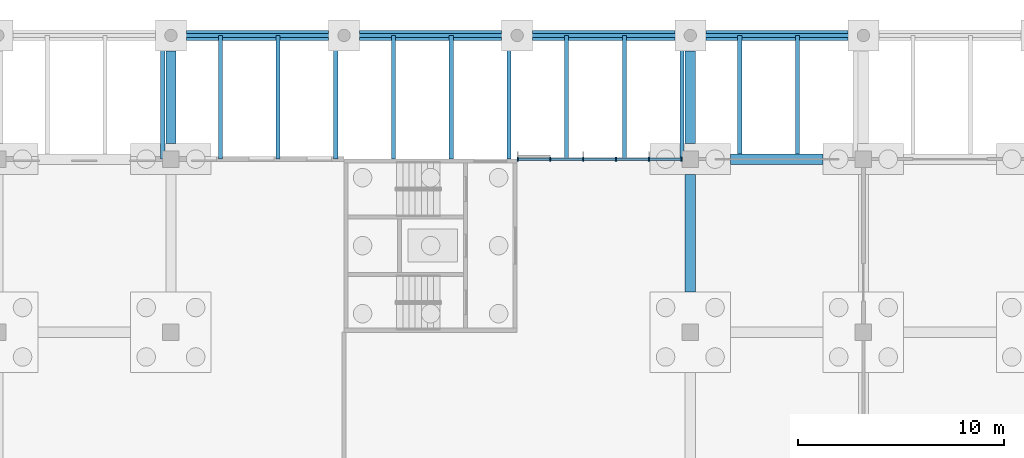
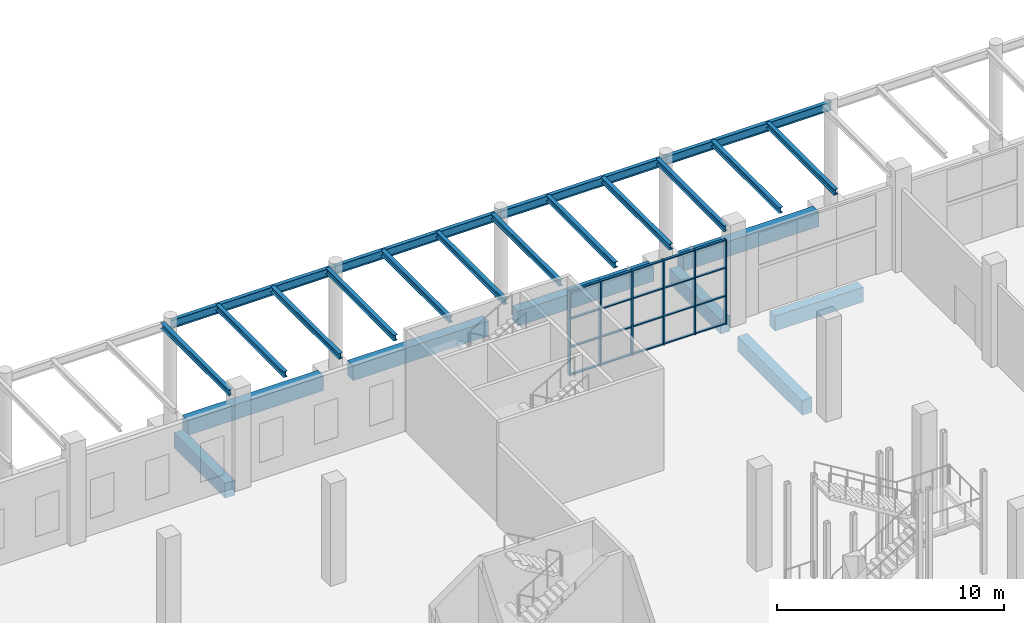
# One storey, part 18 of 82: 38 members, 12 beams, 1 element without a shape of its own.
"""IFC4 building model written with IfcOpenShell, lengths in metres."""

from ifc_helpers import new_model, si_unit, direction, frame, origin, origin_2d, place, context, subcontext, project, spatial, rectangle, i_section, extrude, material, material_profile, profile_set, type_object, element, aggregate, save


model = new_model("IFC4")

# Units and contexts
model_context = context("Model", 3, precision=1e-05, world=origin(), true_north=direction((0.0, 1.0)))
body_context = subcontext(model_context, "Body", "Model", "MODEL_VIEW")
ifc_project = project(units=[si_unit("LENGTHUNIT", "METRE"), si_unit("AREAUNIT", "SQUARE_METRE"), si_unit("VOLUMEUNIT", "CUBIC_METRE"), si_unit("PLANEANGLEUNIT", "RADIAN"), si_unit("MASSUNIT", "GRAM", prefix="KILO")], contexts=[model_context])

# Site, building, storey
site_placement = place(None, origin())
site = spatial("IfcSite", under=ifc_project, at=site_placement, CompositionType="ELEMENT")
building_placement = place(site_placement, origin())
building = spatial("IfcBuilding", under=site, at=building_placement, Name="Almond Square Museum", CompositionType="ELEMENT")
storey_placement = place(building_placement, origin())
storey = spatial("IfcBuildingStorey", under=building, at=storey_placement, Name="L00", CompositionType="ELEMENT", Elevation=0.0)

# Curtain wall, members
ifc_material_1 = material(Name="Aluminium and laminated glass", Category="aluminium")
curtain_wall_type = type_object("IfcCurtainWallType", Name="Unitised curtain wall 1500 module", PredefinedType="NOTDEFINED", material=ifc_material_1)
curtain_wall_placement = place(storey_placement, origin())
curtain_wall = element("IfcCurtainWall", 1, at=curtain_wall_placement, inside=storey, type_object=curtain_wall_type, Name="Curtain wall CW-05", PredefinedType="NOTDEFINED")
ifc_material_2 = material(Name="Anodised aluminium", Category="aluminium")
ifc_material_profile_1 = material_profile(ifc_material_2, rectangle(XDim=0.199951171875, YDim=0.06005859375, at=origin_2d()))
ifc_profile_set_1 = profile_set([ifc_material_profile_1], Name="Anodised aluminium")
member_type_1 = type_object("IfcMemberType", Name="Aluminium mullion 60 x 200", PredefinedType="MULLION", material=ifc_profile_set_1)
member_1_placement = place(storey_placement, frame((81.6298828125, 109.199951171875, 0.0), z_axis=(0.0, 0.0, 1.0), x_axis=(0.0, 1.0, 0.0)))
member_1 = element("IfcMember", 2, at=member_1_placement, type_object=member_type_1, Name="CW-05 mullion 1", PredefinedType="MULLION", context=body_context, shape_type="SweptSolid", body=[
    extrude(rectangle(XDim=0.199951171875, YDim=0.06005859375, at=origin_2d()), origin(), (0.0, 0.0, 1.0), 4.550048828125),
])
member_2_placement = place(storey_placement, frame((83.199951171875, 109.199951171875, 0.0), z_axis=(0.0, 0.0, 1.0), x_axis=(0.0, 1.0, 0.0)))
member_2 = element("IfcMember", 3, at=member_2_placement, type_object=member_type_1, Name="CW-05 mullion 2", PredefinedType="MULLION", context=body_context, shape_type="SweptSolid", body=[
    extrude(rectangle(XDim=0.199951171875, YDim=0.06005859375, at=origin_2d()), origin(), (0.0, 0.0, 1.0), 4.550048828125),
])
member_3_placement = place(storey_placement, frame((84.800048828125, 109.199951171875, 0.0), z_axis=(0.0, 0.0, 1.0), x_axis=(0.0, 1.0, 0.0)))
member_3 = element("IfcMember", 4, at=member_3_placement, type_object=member_type_1, Name="CW-05 mullion 3", PredefinedType="MULLION", context=body_context, shape_type="SweptSolid", body=[
    extrude(rectangle(XDim=0.199951171875, YDim=0.06005859375, at=origin_2d()), origin(), (0.0, 0.0, 1.0), 4.550048828125),
])
member_4_placement = place(storey_placement, frame((86.39990234375, 109.199951171875, 0.0), z_axis=(0.0, 0.0, 1.0), x_axis=(0.0, 1.0, 0.0)))
member_4 = element("IfcMember", 5, at=member_4_placement, type_object=member_type_1, Name="CW-05 mullion 4", PredefinedType="MULLION", context=body_context, shape_type="SweptSolid", body=[
    extrude(rectangle(XDim=0.199951171875, YDim=0.06005859375, at=origin_2d()), origin(), (0.0, 0.0, 1.0), 4.550048828125),
])
member_5_placement = place(storey_placement, frame((88.0, 109.199951171875, 0.0), z_axis=(0.0, 0.0, 1.0), x_axis=(0.0, 1.0, 0.0)))
member_5 = element("IfcMember", 6, at=member_5_placement, type_object=member_type_1, Name="CW-05 mullion 5", PredefinedType="MULLION", context=body_context, shape_type="SweptSolid", body=[
    extrude(rectangle(XDim=0.199951171875, YDim=0.06005859375, at=origin_2d()), origin(), (0.0, 0.0, 1.0), 4.550048828125),
])
member_6_placement = place(storey_placement, frame((89.570068359375, 109.199951171875, 0.0), z_axis=(0.0, 0.0, 1.0), x_axis=(0.0, 1.0, 0.0)))
member_6 = element("IfcMember", 7, at=member_6_placement, type_object=member_type_1, Name="CW-05 mullion 6", PredefinedType="MULLION", context=body_context, shape_type="SweptSolid", body=[
    extrude(rectangle(XDim=0.199951171875, YDim=0.06005859375, at=origin_2d()), origin(), (0.0, 0.0, 1.0), 4.550048828125),
])
ifc_material_3 = material(Name="Anodised aluminium", Category="aluminium")
ifc_material_profile_2 = material_profile(ifc_material_3, rectangle(XDim=0.1201171875, YDim=0.06005859375, at=origin_2d()))
ifc_profile_set_2 = profile_set([ifc_material_profile_2], Name="Anodised aluminium")
member_type_2 = type_object("IfcMemberType", Name="Aluminium transom 60 x 120", PredefinedType="USERDEFINED", material=ifc_profile_set_2)
member_7_placement = place(storey_placement, frame((81.659912109375, 109.199951171875, 0.030029296875), z_axis=(1.0, 0.0, 0.0), x_axis=(0.0, 1.0, 0.0)))
member_7 = element("IfcMember", 8, at=member_7_placement, type_object=member_type_2, Name="CW-05 transom 1.1", ObjectType="TRANSOM", PredefinedType="USERDEFINED", context=body_context, shape_type="SweptSolid", body=[
    extrude(rectangle(XDim=0.1201171875, YDim=0.06005859375, at=origin_2d()), origin(), (0.0, 0.0, 1.0), 1.510009765625),
])
member_8_placement = place(storey_placement, frame((81.659912109375, 109.199951171875, 1.5166015625), z_axis=(1.0, 0.0, 0.0), x_axis=(0.0, 1.0, 0.0)))
member_8 = element("IfcMember", 9, at=member_8_placement, type_object=member_type_2, Name="CW-05 transom 1.2", ObjectType="TRANSOM", PredefinedType="USERDEFINED", context=body_context, shape_type="SweptSolid", body=[
    extrude(rectangle(XDim=0.1201171875, YDim=0.06005859375, at=origin_2d()), origin(), (0.0, 0.0, 1.0), 1.510009765625),
])
member_9_placement = place(storey_placement, frame((81.659912109375, 109.199951171875, 3.033447265625), z_axis=(1.0, 0.0, 0.0), x_axis=(0.0, 1.0, 0.0)))
member_9 = element("IfcMember", 10, at=member_9_placement, type_object=member_type_2, Name="CW-05 transom 1.3", ObjectType="TRANSOM", PredefinedType="USERDEFINED", context=body_context, shape_type="SweptSolid", body=[
    extrude(rectangle(XDim=0.1201171875, YDim=0.06005859375, at=origin_2d()), origin(), (0.0, 0.0, 1.0), 1.510009765625),
])
member_10_placement = place(storey_placement, frame((81.659912109375, 109.199951171875, 4.52001953125), z_axis=(1.0, 0.0, 0.0), x_axis=(0.0, 1.0, 0.0)))
member_10 = element("IfcMember", 11, at=member_10_placement, type_object=member_type_2, Name="CW-05 transom 1.4", ObjectType="TRANSOM", PredefinedType="USERDEFINED", context=body_context, shape_type="SweptSolid", body=[
    extrude(rectangle(XDim=0.1201171875, YDim=0.06005859375, at=origin_2d()), origin(), (0.0, 0.0, 1.0), 1.510009765625),
])
member_11_placement = place(storey_placement, frame((83.22998046875, 109.199951171875, 0.030029296875), z_axis=(1.0, 0.0, 0.0), x_axis=(0.0, 1.0, 0.0)))
member_11 = element("IfcMember", 12, at=member_11_placement, type_object=member_type_2, Name="CW-05 transom 2.1", ObjectType="TRANSOM", PredefinedType="USERDEFINED", context=body_context, shape_type="SweptSolid", body=[
    extrude(rectangle(XDim=0.1201171875, YDim=0.06005859375, at=origin_2d()), origin(), (0.0, 0.0, 1.0), 1.5400390625),
])
member_12_placement = place(storey_placement, frame((83.22998046875, 109.199951171875, 1.5166015625), z_axis=(1.0, 0.0, 0.0), x_axis=(0.0, 1.0, 0.0)))
member_12 = element("IfcMember", 13, at=member_12_placement, type_object=member_type_2, Name="CW-05 transom 2.2", ObjectType="TRANSOM", PredefinedType="USERDEFINED", context=body_context, shape_type="SweptSolid", body=[
    extrude(rectangle(XDim=0.1201171875, YDim=0.06005859375, at=origin_2d()), origin(), (0.0, 0.0, 1.0), 1.5400390625),
])
member_13_placement = place(storey_placement, frame((83.22998046875, 109.199951171875, 3.033447265625), z_axis=(1.0, 0.0, 0.0), x_axis=(0.0, 1.0, 0.0)))
member_13 = element("IfcMember", 14, at=member_13_placement, type_object=member_type_2, Name="CW-05 transom 2.3", ObjectType="TRANSOM", PredefinedType="USERDEFINED", context=body_context, shape_type="SweptSolid", body=[
    extrude(rectangle(XDim=0.1201171875, YDim=0.06005859375, at=origin_2d()), origin(), (0.0, 0.0, 1.0), 1.5400390625),
])
member_14_placement = place(storey_placement, frame((83.22998046875, 109.199951171875, 4.52001953125), z_axis=(1.0, 0.0, 0.0), x_axis=(0.0, 1.0, 0.0)))
member_14 = element("IfcMember", 15, at=member_14_placement, type_object=member_type_2, Name="CW-05 transom 2.4", ObjectType="TRANSOM", PredefinedType="USERDEFINED", context=body_context, shape_type="SweptSolid", body=[
    extrude(rectangle(XDim=0.1201171875, YDim=0.06005859375, at=origin_2d()), origin(), (0.0, 0.0, 1.0), 1.5400390625),
])
member_15_placement = place(storey_placement, frame((84.830078125, 109.199951171875, 0.030029296875), z_axis=(1.0, 0.0, 0.0), x_axis=(0.0, 1.0, 0.0)))
member_15 = element("IfcMember", 16, at=member_15_placement, type_object=member_type_2, Name="CW-05 transom 3.1", ObjectType="TRANSOM", PredefinedType="USERDEFINED", context=body_context, shape_type="SweptSolid", body=[
    extrude(rectangle(XDim=0.1201171875, YDim=0.06005859375, at=origin_2d()), origin(), (0.0, 0.0, 1.0), 1.5400390625),
])
member_16_placement = place(storey_placement, frame((84.830078125, 109.199951171875, 1.5166015625), z_axis=(1.0, 0.0, 0.0), x_axis=(0.0, 1.0, 0.0)))
member_16 = element("IfcMember", 17, at=member_16_placement, type_object=member_type_2, Name="CW-05 transom 3.2", ObjectType="TRANSOM", PredefinedType="USERDEFINED", context=body_context, shape_type="SweptSolid", body=[
    extrude(rectangle(XDim=0.1201171875, YDim=0.06005859375, at=origin_2d()), origin(), (0.0, 0.0, 1.0), 1.5400390625),
])
member_17_placement = place(storey_placement, frame((84.830078125, 109.199951171875, 3.033447265625), z_axis=(1.0, 0.0, 0.0), x_axis=(0.0, 1.0, 0.0)))
member_17 = element("IfcMember", 18, at=member_17_placement, type_object=member_type_2, Name="CW-05 transom 3.3", ObjectType="TRANSOM", PredefinedType="USERDEFINED", context=body_context, shape_type="SweptSolid", body=[
    extrude(rectangle(XDim=0.1201171875, YDim=0.06005859375, at=origin_2d()), origin(), (0.0, 0.0, 1.0), 1.5400390625),
])
member_18_placement = place(storey_placement, frame((84.830078125, 109.199951171875, 4.52001953125), z_axis=(1.0, 0.0, 0.0), x_axis=(0.0, 1.0, 0.0)))
member_18 = element("IfcMember", 19, at=member_18_placement, type_object=member_type_2, Name="CW-05 transom 3.4", ObjectType="TRANSOM", PredefinedType="USERDEFINED", context=body_context, shape_type="SweptSolid", body=[
    extrude(rectangle(XDim=0.1201171875, YDim=0.06005859375, at=origin_2d()), origin(), (0.0, 0.0, 1.0), 1.5400390625),
])
member_19_placement = place(storey_placement, frame((86.429931640625, 109.199951171875, 0.030029296875), z_axis=(1.0, 0.0, 0.0), x_axis=(0.0, 1.0, 0.0)))
member_19 = element("IfcMember", 20, at=member_19_placement, type_object=member_type_2, Name="CW-05 transom 4.1", ObjectType="TRANSOM", PredefinedType="USERDEFINED", context=body_context, shape_type="SweptSolid", body=[
    extrude(rectangle(XDim=0.1201171875, YDim=0.06005859375, at=origin_2d()), origin(), (0.0, 0.0, 1.0), 1.5400390625),
])
member_20_placement = place(storey_placement, frame((86.429931640625, 109.199951171875, 1.5166015625), z_axis=(1.0, 0.0, 0.0), x_axis=(0.0, 1.0, 0.0)))
member_20 = element("IfcMember", 21, at=member_20_placement, type_object=member_type_2, Name="CW-05 transom 4.2", ObjectType="TRANSOM", PredefinedType="USERDEFINED", context=body_context, shape_type="SweptSolid", body=[
    extrude(rectangle(XDim=0.1201171875, YDim=0.06005859375, at=origin_2d()), origin(), (0.0, 0.0, 1.0), 1.5400390625),
])
member_21_placement = place(storey_placement, frame((86.429931640625, 109.199951171875, 3.033447265625), z_axis=(1.0, 0.0, 0.0), x_axis=(0.0, 1.0, 0.0)))
member_21 = element("IfcMember", 22, at=member_21_placement, type_object=member_type_2, Name="CW-05 transom 4.3", ObjectType="TRANSOM", PredefinedType="USERDEFINED", context=body_context, shape_type="SweptSolid", body=[
    extrude(rectangle(XDim=0.1201171875, YDim=0.06005859375, at=origin_2d()), origin(), (0.0, 0.0, 1.0), 1.5400390625),
])
member_22_placement = place(storey_placement, frame((86.429931640625, 109.199951171875, 4.52001953125), z_axis=(1.0, 0.0, 0.0), x_axis=(0.0, 1.0, 0.0)))
member_22 = element("IfcMember", 23, at=member_22_placement, type_object=member_type_2, Name="CW-05 transom 4.4", ObjectType="TRANSOM", PredefinedType="USERDEFINED", context=body_context, shape_type="SweptSolid", body=[
    extrude(rectangle(XDim=0.1201171875, YDim=0.06005859375, at=origin_2d()), origin(), (0.0, 0.0, 1.0), 1.5400390625),
])
member_23_placement = place(storey_placement, frame((88.030029296875, 109.199951171875, 0.030029296875), z_axis=(1.0, 0.0, 0.0), x_axis=(0.0, 1.0, 0.0)))
member_23 = element("IfcMember", 24, at=member_23_placement, type_object=member_type_2, Name="CW-05 transom 5.1", ObjectType="TRANSOM", PredefinedType="USERDEFINED", context=body_context, shape_type="SweptSolid", body=[
    extrude(rectangle(XDim=0.1201171875, YDim=0.06005859375, at=origin_2d()), origin(), (0.0, 0.0, 1.0), 1.510009765625),
])
member_24_placement = place(storey_placement, frame((88.030029296875, 109.199951171875, 1.5166015625), z_axis=(1.0, 0.0, 0.0), x_axis=(0.0, 1.0, 0.0)))
member_24 = element("IfcMember", 25, at=member_24_placement, type_object=member_type_2, Name="CW-05 transom 5.2", ObjectType="TRANSOM", PredefinedType="USERDEFINED", context=body_context, shape_type="SweptSolid", body=[
    extrude(rectangle(XDim=0.1201171875, YDim=0.06005859375, at=origin_2d()), origin(), (0.0, 0.0, 1.0), 1.510009765625),
])
member_25_placement = place(storey_placement, frame((88.030029296875, 109.199951171875, 3.033447265625), z_axis=(1.0, 0.0, 0.0), x_axis=(0.0, 1.0, 0.0)))
member_25 = element("IfcMember", 26, at=member_25_placement, type_object=member_type_2, Name="CW-05 transom 5.3", ObjectType="TRANSOM", PredefinedType="USERDEFINED", context=body_context, shape_type="SweptSolid", body=[
    extrude(rectangle(XDim=0.1201171875, YDim=0.06005859375, at=origin_2d()), origin(), (0.0, 0.0, 1.0), 1.510009765625),
])
member_26_placement = place(storey_placement, frame((88.030029296875, 109.199951171875, 4.52001953125), z_axis=(1.0, 0.0, 0.0), x_axis=(0.0, 1.0, 0.0)))
member_26 = element("IfcMember", 27, at=member_26_placement, type_object=member_type_2, Name="CW-05 transom 5.4", ObjectType="TRANSOM", PredefinedType="USERDEFINED", context=body_context, shape_type="SweptSolid", body=[
    extrude(rectangle(XDim=0.1201171875, YDim=0.06005859375, at=origin_2d()), origin(), (0.0, 0.0, 1.0), 1.510009765625),
])
aggregate(curtain_wall, [member_1, member_2, member_3, member_4, member_5, member_6, member_7, member_8, member_9, member_10, member_11, member_12, member_13, member_14, member_15, member_16, member_17, member_18, member_19, member_20, member_21, member_22, member_23, member_24, member_25, member_26])

# Beams
ifc_material_4 = material(Name="Structural steel S355", Category="steel")
ifc_material_profile_3 = material_profile(ifc_material_4, i_section(OverallWidth=0.19091796875, OverallDepth=0.45703125, WebThickness=0.009033203125, FlangeThickness=0.014404296875, at=origin_2d()))
ifc_profile_set_3 = profile_set([ifc_material_profile_3], Name="Structural steel S355")
beam_type_1 = type_object("IfcBeamType", Name="Eave beam W460x74", PredefinedType="BEAM", material=ifc_profile_set_3)
beam_1_placement = place(storey_placement, frame((64.800048828125, 115.199951171875, 5.021484375), z_axis=(1.0, 0.0, 0.0), x_axis=(0.0, 1.0, 0.0)))
element("IfcBeam", 28, at=beam_1_placement, inside=storey, type_object=beam_type_1, Name="ARN roof edge beam 9", PredefinedType="BEAM", context=body_context, shape_type="SweptSolid", body=[
    extrude(i_section(OverallWidth=0.19091796875, OverallDepth=0.45703125, WebThickness=0.009033203125, FlangeThickness=0.014404296875, at=origin_2d()), origin(), (0.0, 0.0, 1.0), 8.39990234375),
])
beam_2_placement = place(storey_placement, frame((73.199951171875, 115.199951171875, 5.021484375), z_axis=(1.0, 0.0, 0.0), x_axis=(0.0, 1.0, 0.0)))
element("IfcBeam", 29, at=beam_2_placement, inside=storey, type_object=beam_type_1, Name="ARN roof edge beam 10", PredefinedType="BEAM", context=body_context, shape_type="SweptSolid", body=[
    extrude(i_section(OverallWidth=0.19091796875, OverallDepth=0.45703125, WebThickness=0.009033203125, FlangeThickness=0.014404296875, at=origin_2d()), origin(), (0.0, 0.0, 1.0), 8.400146484375),
])
for number, where, z_axis, x_axis, name in (
    (30, (81.60009765625, 115.199951171875, 5.021484375), (1.0, 0.0, 0.0), (0.0, 1.0, 0.0), "ARN roof edge beam 11"),
    (31, (90.0, 115.199951171875, 5.021484375), (1.0, 0.0, 0.0), (0.0, 1.0, 0.0), "ARN roof edge beam 12"),
):
    element("IfcBeam", number, at=place(storey_placement, frame(where, z_axis=z_axis, x_axis=x_axis)), inside=storey, type_object=beam_type_1, Name=name, PredefinedType="BEAM", context=body_context, shape_type="SweptSolid", body=[
        extrude(i_section(OverallWidth=0.19091796875, OverallDepth=0.45703125, WebThickness=0.009033203125, FlangeThickness=0.014404296875, at=origin_2d()), origin(), (0.0, 0.0, 1.0), 8.39990234375),
    ])
ifc_material_5 = material(Name="Concrete C35/45", Category="concrete")
ifc_material_profile_4 = material_profile(ifc_material_5, rectangle(XDim=0.5, YDim=0.800048828125, at=origin_2d()))
ifc_profile_set_4 = profile_set([ifc_material_profile_4], Name="Concrete C35/45")
beam_type_2 = type_object("IfcBeamType", Name="RC ground beam 500 x 800 C35/45", PredefinedType="BEAM", material=ifc_profile_set_4)
beam_3_placement = place(storey_placement, frame((91.949951171875, 109.199951171875, -0.699951171875), z_axis=(1.0, 0.0, 0.0), x_axis=(0.0, 1.0, 0.0)))
element("IfcBeam", 32, at=beam_3_placement, inside=storey, type_object=beam_type_2, Name="Ground beam 140", PredefinedType="BEAM", context=body_context, shape_type="SweptSolid", body=[
    extrude(rectangle(XDim=0.5, YDim=0.800048828125, at=origin_2d()), origin(), (0.0, 0.0, 1.0), 4.5),
])
beam_4_placement = place(storey_placement, frame((65.550048828125, 115.199951171875, -0.699951171875), z_axis=(1.0, 0.0, 0.0), x_axis=(0.0, 1.0, 0.0)))
element("IfcBeam", 33, at=beam_4_placement, inside=storey, type_object=beam_type_2, Name="Ground beam 152", PredefinedType="BEAM", context=body_context, shape_type="SweptSolid", body=[
    extrude(rectangle(XDim=0.5, YDim=0.800048828125, at=origin_2d()), origin(), (0.0, 0.0, 1.0), 6.89990234375),
])
beam_5_placement = place(storey_placement, frame((73.949951171875, 115.199951171875, -0.699951171875), z_axis=(1.0, 0.0, 0.0), x_axis=(0.0, 1.0, 0.0)))
element("IfcBeam", 34, at=beam_5_placement, inside=storey, type_object=beam_type_2, Name="Ground beam 153", PredefinedType="BEAM", context=body_context, shape_type="SweptSolid", body=[
    extrude(rectangle(XDim=0.5, YDim=0.800048828125, at=origin_2d()), origin(), (0.0, 0.0, 1.0), 6.900146484375),
])
for number, where, z_axis, x_axis, name in (
    (35, (82.35009765625, 115.199951171875, -0.699951171875), (1.0, 0.0, 0.0), (0.0, 1.0, 0.0), "Ground beam 154"),
    (36, (90.75, 115.199951171875, -0.699951171875), (1.0, 0.0, 0.0), (0.0, 1.0, 0.0), "Ground beam 155"),
):
    element("IfcBeam", number, at=place(storey_placement, frame(where, z_axis=z_axis, x_axis=x_axis)), inside=storey, type_object=beam_type_2, Name=name, PredefinedType="BEAM", context=body_context, shape_type="SweptSolid", body=[
        extrude(rectangle(XDim=0.5, YDim=0.800048828125, at=origin_2d()), origin(), (0.0, 0.0, 1.0), 6.89990234375),
    ])
beam_6_placement = place(storey_placement, frame((64.800048828125, 109.949951171875, -0.699951171875), z_axis=(0.0, 1.0, 0.0), x_axis=(-1.0, 0.0, 0.0)))
element("IfcBeam", 37, at=beam_6_placement, inside=storey, type_object=beam_type_2, Name="Ground beam 225", PredefinedType="BEAM", context=body_context, shape_type="SweptSolid", body=[
    extrude(rectangle(XDim=0.5, YDim=0.800048828125, at=origin_2d()), origin(), (0.0, 0.0, 1.0), 4.5),
])
beam_7_placement = place(storey_placement, frame((90.0, 102.75, -0.699951171875), z_axis=(0.0, 1.0, 0.0), x_axis=(-1.0, 0.0, 0.0)))
element("IfcBeam", 38, at=beam_7_placement, inside=storey, type_object=beam_type_2, Name="Ground beam 243", PredefinedType="BEAM", context=body_context, shape_type="SweptSolid", body=[
    extrude(rectangle(XDim=0.5, YDim=0.800048828125, at=origin_2d()), origin(), (0.0, 0.0, 1.0), 5.699951171875),
])
beam_8_placement = place(storey_placement, frame((90.0, 109.949951171875, -0.699951171875), z_axis=(0.0, 1.0, 0.0), x_axis=(-1.0, 0.0, 0.0)))
element("IfcBeam", 39, at=beam_8_placement, inside=storey, type_object=beam_type_2, Name="Ground beam 244", PredefinedType="BEAM", context=body_context, shape_type="SweptSolid", body=[
    extrude(rectangle(XDim=0.5, YDim=0.800048828125, at=origin_2d()), origin(), (0.0, 0.0, 1.0), 4.5),
])

# Members
ifc_material_6 = material(Name="Structural steel S355", Category="steel")
ifc_material_profile_5 = material_profile(ifc_material_6, i_section(OverallWidth=0.202880859375, OverallDepth=0.302001953125, WebThickness=0.007568359375, FlangeThickness=0.01318359375, at=origin_2d()))
ifc_profile_set_5 = profile_set([ifc_material_profile_5], Name="Structural steel S355")
member_type_3 = type_object("IfcMemberType", Name="Steel joist W310x60", PredefinedType="MEMBER", material=ifc_profile_set_5)
for number, where, z_axis, x_axis, name in (
    (40, (64.39990234375, 109.199951171875, 5.09912109375), (0.0, 1.0, 0.0), (-1.0, 0.0, 0.0), "ARN roof joist 24"),
    (41, (67.199951171875, 109.199951171875, 5.09912109375), (0.0, 1.0, 0.0), (-1.0, 0.0, 0.0), "ARN roof joist 25"),
    (42, (70.0, 109.199951171875, 5.09912109375), (0.0, 1.0, 0.0), (-1.0, 0.0, 0.0), "ARN roof joist 26"),
    (43, (72.800048828125, 109.199951171875, 5.09912109375), (0.0, 1.0, 0.0), (-1.0, 0.0, 0.0), "ARN roof joist 27"),
    (44, (75.60009765625, 109.199951171875, 5.09912109375), (0.0, 1.0, 0.0), (-1.0, 0.0, 0.0), "ARN roof joist 28"),
    (45, (78.39990234375, 109.199951171875, 5.09912109375), (0.0, 1.0, 0.0), (-1.0, 0.0, 0.0), "ARN roof joist 29"),
    (46, (81.199951171875, 109.199951171875, 5.09912109375), (0.0, 1.0, 0.0), (-1.0, 0.0, 0.0), "ARN roof joist 30"),
    (47, (84.0, 109.199951171875, 5.09912109375), (0.0, 1.0, 0.0), (-1.0, 0.0, 0.0), "ARN roof joist 31"),
    (48, (86.800048828125, 109.199951171875, 5.09912109375), (0.0, 1.0, 0.0), (-1.0, 0.0, 0.0), "ARN roof joist 32"),
    (49, (89.60009765625, 109.199951171875, 5.09912109375), (0.0, 1.0, 0.0), (-1.0, 0.0, 0.0), "ARN roof joist 33"),
    (50, (92.39990234375, 109.199951171875, 5.09912109375), (0.0, 1.0, 0.0), (-1.0, 0.0, 0.0), "ARN roof joist 34"),
    (51, (95.199951171875, 109.199951171875, 5.09912109375), (0.0, 1.0, 0.0), (-1.0, 0.0, 0.0), "ARN roof joist 35"),
):
    element("IfcMember", number, at=place(storey_placement, frame(where, z_axis=z_axis, x_axis=x_axis)), inside=storey, type_object=member_type_3, Name=name, PredefinedType="MEMBER", context=body_context, shape_type="SweptSolid", body=[
        extrude(i_section(OverallWidth=0.202880859375, OverallDepth=0.302001953125, WebThickness=0.007568359375, FlangeThickness=0.01318359375, at=origin_2d()), origin(), (0.0, 0.0, 1.0), 6.0),
    ])

save(model, "model.ifc")
